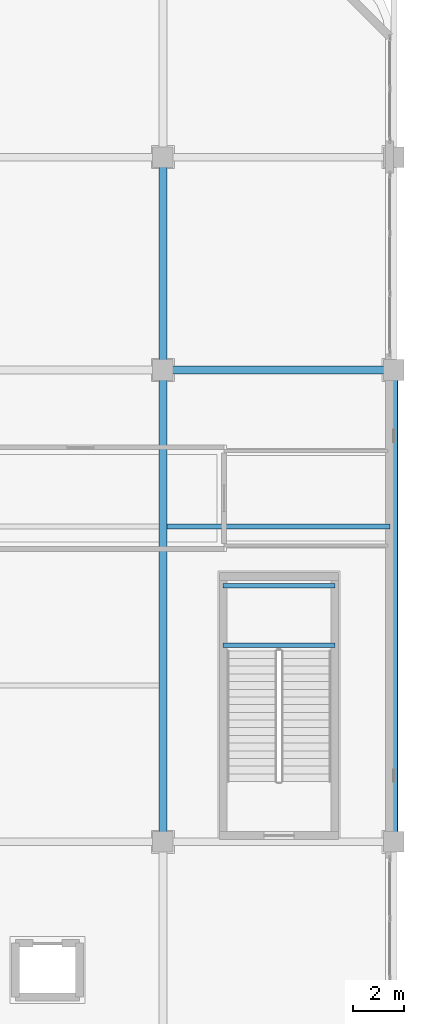
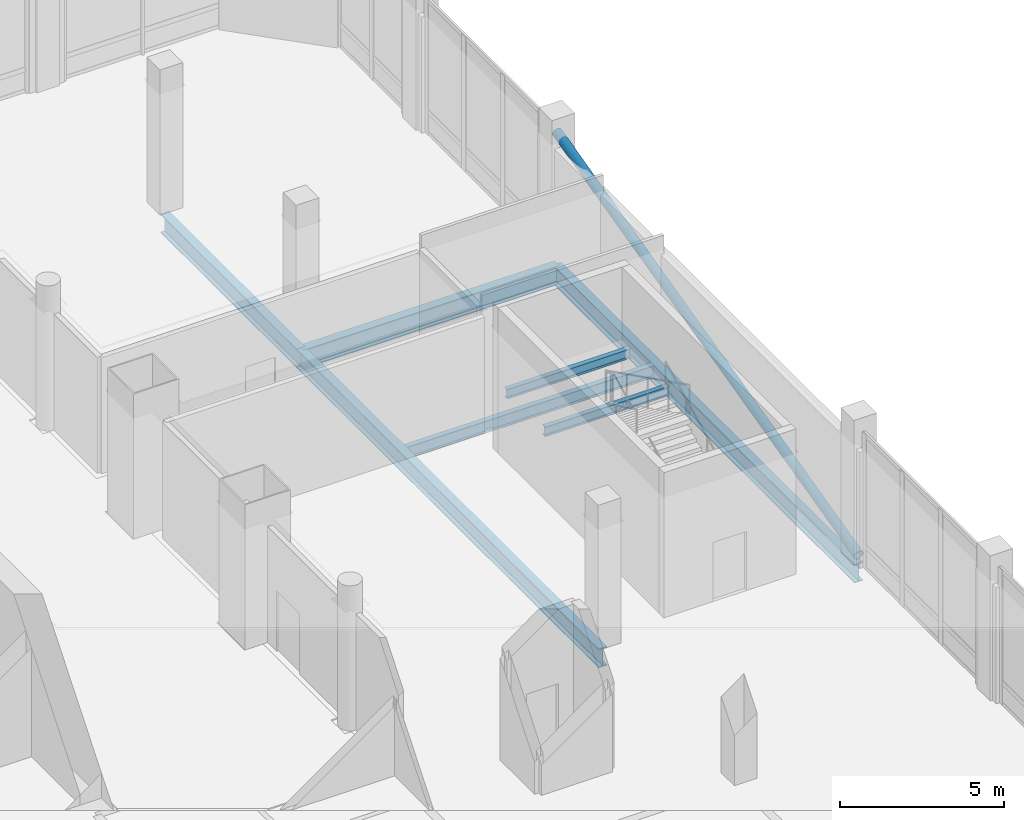
# One storey, part 17 of 35: 7 beams, 1 member.
"""IFC4 building model written with IfcOpenShell, lengths in metres."""

from ifc_helpers import new_model, si_unit, direction, frame, origin, origin_2d, place, context, subcontext, project, spatial, hollow_circle, i_section, extrude, material, material_profile, profile_set, type_object, element, save


model = new_model("IFC4")

# Units and contexts
model_context = context("Model", 3, precision=1e-05, world=origin(), true_north=direction((0.0, 1.0)))
body_context = subcontext(model_context, "Body", "Model", "MODEL_VIEW")
ifc_project = project(units=[si_unit("LENGTHUNIT", "METRE"), si_unit("AREAUNIT", "SQUARE_METRE"), si_unit("VOLUMEUNIT", "CUBIC_METRE"), si_unit("PLANEANGLEUNIT", "RADIAN"), si_unit("MASSUNIT", "GRAM", prefix="KILO")], contexts=[model_context])

# Site, building, storey
site_placement = place(None, origin())
site = spatial("IfcSite", under=ifc_project, at=site_placement, CompositionType="ELEMENT")
building_placement = place(site_placement, origin())
building = spatial("IfcBuilding", under=site, at=building_placement, Name="Punatoya Terracotta Tower", CompositionType="ELEMENT")
storey_placement = place(building_placement, frame((0.0, 0.0, 16.800048828125)))
storey = spatial("IfcBuildingStorey", under=building, at=storey_placement, Name="L03", CompositionType="ELEMENT", Elevation=16.800048828125)

# Beams
ifc_material = material(Name="Steel S355", Category="steel")
ifc_material_profile_1 = material_profile(ifc_material, i_section(OverallWidth=0.300048828125, OverallDepth=0.699951171875, WebThickness=0.01708984375, FlangeThickness=0.031982421875, FilletRadius=0.01806640625, at=origin_2d()))
ifc_profile_set_1 = profile_set([ifc_material_profile_1], Name="Steel S355")
beam_type_1 = type_object("IfcBeamType", Name="BM-PRI-700", PredefinedType="BEAM", material=ifc_profile_set_1)
beam_1_placement = place(storey_placement, frame((28.0, 9.199951171875, -0.630126953125), z_axis=(1.0, 0.0, 0.0), x_axis=(0.0, 1.0, 0.0)))
element("IfcBeam", 1, at=beam_1_placement, inside=storey, type_object=beam_type_1, Name="BM-L03-FE2", PredefinedType="BEAM", context=body_context, shape_type="SweptSolid", body=[
    extrude(i_section(OverallWidth=0.300048828125, OverallDepth=0.699951171875, WebThickness=0.01708984375, FlangeThickness=0.031982421875, FilletRadius=0.01806640625, at=origin_2d()), origin(), (0.0, 0.0, 1.0), 9.0),
])
beam_2_placement = place(storey_placement, frame((28.0, -9.199951171875, -0.630126953125), z_axis=(0.0, 1.0, 0.0), x_axis=(-1.0, 0.0, 0.0)))
element("IfcBeam", 2, at=beam_2_placement, inside=storey, type_object=beam_type_1, Name="BM-L03-X28E--9", PredefinedType="BEAM", context=body_context, shape_type="SweptSolid", body=[
    extrude(i_section(OverallWidth=0.300048828125, OverallDepth=0.699951171875, WebThickness=0.01708984375, FlangeThickness=0.031982421875, FilletRadius=0.01806640625, at=origin_2d()), origin(), (0.0, 0.0, 1.0), 18.39990234375),
])
beam_3_placement = place(storey_placement, frame((28.0, 9.199951171875, -0.630126953125), z_axis=(0.0, 1.0, 0.0), x_axis=(-1.0, 0.0, 0.0)))
element("IfcBeam", 3, at=beam_3_placement, inside=storey, type_object=beam_type_1, Name="BM-L03-X28E-9", PredefinedType="BEAM", context=body_context, shape_type="SweptSolid", body=[
    extrude(i_section(OverallWidth=0.300048828125, OverallDepth=0.699951171875, WebThickness=0.01708984375, FlangeThickness=0.031982421875, FilletRadius=0.01806640625, at=origin_2d()), origin(), (0.0, 0.0, 1.0), 8.300048828125),
])
beam_4_placement = place(storey_placement, frame((37.0, -9.199951171875, -0.630126953125), z_axis=(0.0, 1.0, 0.0), x_axis=(-1.0, 0.0, 0.0)))
element("IfcBeam", 4, at=beam_4_placement, inside=storey, type_object=beam_type_1, Name="BM-L03-X37E--9", PredefinedType="BEAM", context=body_context, shape_type="SweptSolid", body=[
    extrude(i_section(OverallWidth=0.300048828125, OverallDepth=0.699951171875, WebThickness=0.01708984375, FlangeThickness=0.031982421875, FilletRadius=0.01806640625, at=origin_2d()), origin(), (0.0, 0.0, 1.0), 18.39990234375),
])
ifc_material_profile_2 = material_profile(ifc_material, i_section(OverallWidth=0.169921875, OverallDepth=0.360107421875, WebThickness=0.008056640625, FlangeThickness=0.0126953125, FilletRadius=0.01806640625, at=origin_2d()))
ifc_profile_set_2 = profile_set([ifc_material_profile_2], Name="Steel S355")
beam_type_2 = type_object("IfcBeamType", Name="BM-SEC-360", PredefinedType="JOIST", material=ifc_profile_set_2)
for number, where, z_axis, x_axis, name in (
    (5, (30.35009765625, -1.530029296875, 2.320068359375), (1.0, 0.0, 0.0), (0.0, 1.0, 0.0), "BM-L03-ST-P2-LD1A"),
    (6, (30.35009765625, 0.780029296875, 2.320068359375), (1.0, 0.0, 0.0), (0.0, 1.0, 0.0), "BM-L03-ST-P2-LD1B"),
):
    element("IfcBeam", number, at=place(storey_placement, frame(where, z_axis=z_axis, x_axis=x_axis)), inside=storey, type_object=beam_type_2, Name=name, PredefinedType="JOIST", context=body_context, shape_type="SweptSolid", body=[
        extrude(i_section(OverallWidth=0.169921875, OverallDepth=0.360107421875, WebThickness=0.008056640625, FlangeThickness=0.0126953125, FilletRadius=0.01806640625, at=origin_2d()), origin(), (0.0, 0.0, 1.0), 4.349853515625),
    ])
ifc_material_profile_3 = material_profile(ifc_material, i_section(OverallWidth=0.18994140625, OverallDepth=0.449951171875, WebThickness=0.009521484375, FlangeThickness=0.0146484375, FilletRadius=0.01806640625, at=origin_2d()))
ifc_profile_set_3 = profile_set([ifc_material_profile_3], Name="Steel S355")
beam_type_3 = type_object("IfcBeamType", Name="BM-SEC-450", PredefinedType="JOIST", material=ifc_profile_set_3)
beam_5_placement = place(storey_placement, frame((28.14990234375, 3.10009765625, -0.505126953125), z_axis=(1.0, 0.0, 0.0), x_axis=(0.0, 1.0, 0.0)))
element("IfcBeam", 7, at=beam_5_placement, inside=storey, type_object=beam_type_3, Name="BM-L03-WNGJ-E2-31", PredefinedType="JOIST", context=body_context, shape_type="SweptSolid", body=[
    extrude(i_section(OverallWidth=0.18994140625, OverallDepth=0.449951171875, WebThickness=0.009521484375, FlangeThickness=0.0146484375, FilletRadius=0.01806640625, at=origin_2d()), origin(), (0.0, 0.0, 1.0), 8.7001953125),
])

# Member
ifc_material_profile_4 = material_profile(ifc_material, hollow_circle(Radius=0.162109375, WallThickness=0.01611328125, at=origin_2d()))
ifc_profile_set_4 = profile_set([ifc_material_profile_4], Name="Steel S355")
member_type = type_object("IfcMemberType", Name="MEM-POD-CHS", PredefinedType="BRACE", material=ifc_profile_set_4)
member_placement = place(storey_placement, frame((37.0, -9.199951171875, 0.02001953125), z_axis=(0.0, 0.970391925555, 0.241535734038), x_axis=(-1.0, 0.0, 0.0)))
element("IfcMember", 8, at=member_placement, inside=storey, type_object=member_type, Name="L03 Podium Lateral Brace PBR-2", PredefinedType="BRACE", context=body_context, shape_type="SweptSolid", body=[
    extrude(hollow_circle(Radius=0.162109375, WallThickness=0.01611328125, at=origin_2d()), origin(), (0.0, 0.0, 1.0), 18.96142578125),
])

save(model, "model.ifc")
